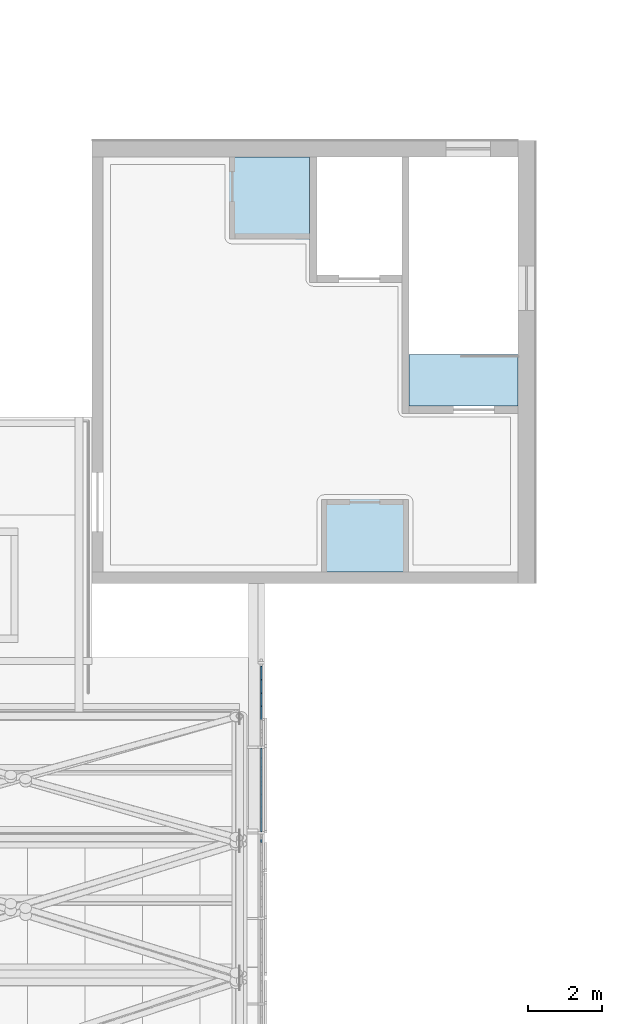
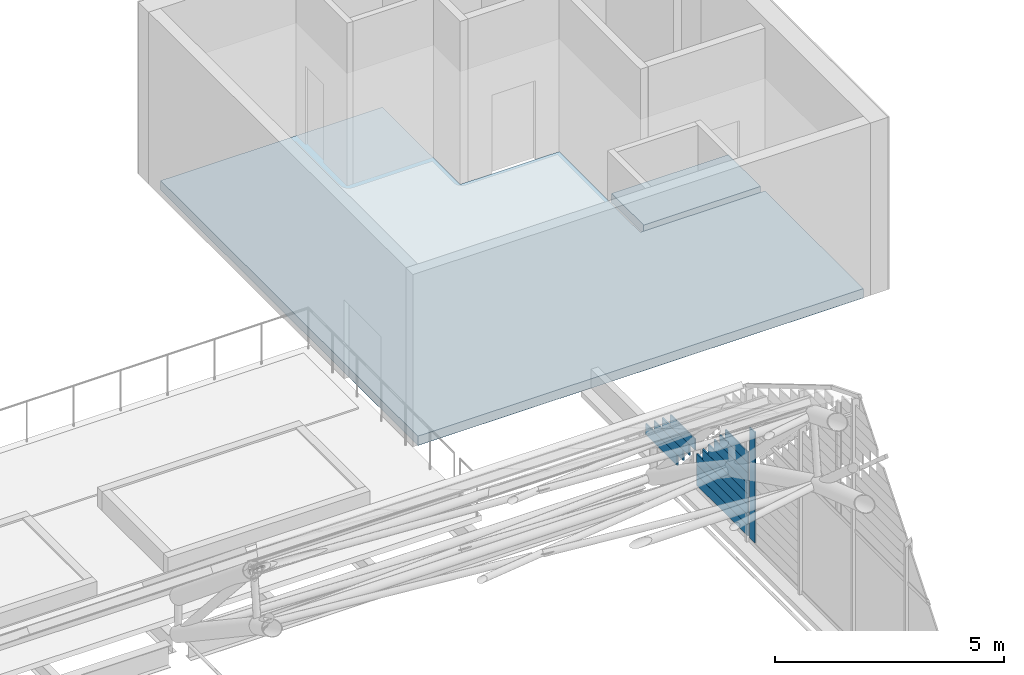
# One storey, part 67 of 110: 13 plates, 2 slabs, 1 element without a shape of its own.
"""IFC4 building model written with IfcOpenShell, lengths in metres."""

from ifc_helpers import new_model, si_unit, direction, frame, origin, place, context, subcontext, project, spatial, polyline, outline, extrude, material, layer, layer_set, type_object, element, aggregate, save


model = new_model("IFC4")

# Units and contexts
model_context = context("Model", 3, precision=1e-05, world=origin(), true_north=direction((0.0, 1.0)))
body_context = subcontext(model_context, "Body", "Model", "MODEL_VIEW")
ifc_project = project(units=[si_unit("LENGTHUNIT", "METRE"), si_unit("AREAUNIT", "SQUARE_METRE"), si_unit("VOLUMEUNIT", "CUBIC_METRE"), si_unit("PLANEANGLEUNIT", "RADIAN"), si_unit("MASSUNIT", "GRAM", prefix="KILO")], contexts=[model_context])

# Site, building, storey
site_placement = place(None, origin())
site = spatial("IfcSite", under=ifc_project, at=site_placement, CompositionType="ELEMENT")
building_placement = place(site_placement, origin())
building = spatial("IfcBuilding", under=site, at=building_placement, Name="Windward Yard Aquatics Centre", CompositionType="ELEMENT")
storey_placement = place(building_placement, frame((0.0, 0.0, 22.60009765625)))
storey = spatial("IfcBuildingStorey", under=building, at=storey_placement, Name="L05", CompositionType="ELEMENT", Elevation=22.60009765625)

# Slabs
ifc_material_1 = material(Name="Concrete C35/45", Category="concrete")
ifc_layer_1 = layer(ifc_material_1, 0.25)
ifc_layer_set_1 = layer_set([ifc_layer_1], Name="H Core Floor Concrete C35/45 250")
slab_type = type_object("IfcSlabType", Name="H Core Floor Concrete C35/45 250", PredefinedType="FLOOR", material=ifc_layer_set_1)
slab_1_placement = place(storey_placement, frame((0.0, 0.0, -0.25)))
element("IfcSlab", 1, at=slab_1_placement, inside=storey, type_object=slab_type, Name="L05 core floor NE", PredefinedType="FLOOR", context=body_context, shape_type="SweptSolid", body=[
    extrude(outline(polyline([(140.300048828125, 84.300048828125), (151.550048828125, 84.300048828125), (151.550048828125, 88.60009765625), (148.39990234375, 88.60009765625), (148.39990234375, 92.14990234375), (145.89990234375, 92.14990234375), (145.89990234375, 95.550048828125), (140.300048828125, 95.550048828125), (140.300048828125, 84.300048828125)])), origin(), (0.0, 0.0, 1.0), 0.25),
])
slab_2_placement = place(storey_placement, frame((0.0, 0.0, -0.25)))
element("IfcSlab", 2, at=slab_2_placement, inside=storey, type_object=slab_type, Name="L05 stair floor landing NE", PredefinedType="FLOOR", context=body_context, shape_type="SweptSolid", body=[
    extrude(outline(polyline([(148.60009765625, 88.800048828125), (151.550048828125, 88.800048828125), (151.550048828125, 90.199951171875), (148.60009765625, 90.199951171875), (148.60009765625, 88.800048828125)])), origin(), (0.0, 0.0, 1.0), 0.25),
])

# Curtain wall, plates
ifc_material_2 = material(Name="Glass and aluminium curtain wall", Category="aluminium")
ifc_layer_2 = layer(ifc_material_2, 0.179931640625)
ifc_layer_set_2 = layer_set([ifc_layer_2], Name="H gable glazing system double glazed 8+16+8")
curtain_wall_type = type_object("IfcCurtainWallType", Name="H gable glazing system double glazed 8+16+8", PredefinedType="NOTDEFINED", material=ifc_layer_set_2)
curtain_wall_placement = place(storey_placement, origin())
curtain_wall = element("IfcCurtainWall", 3, at=curtain_wall_placement, inside=storey, type_object=curtain_wall_type, Name="Gable glazing E", PredefinedType="NOTDEFINED")
ifc_material_3 = material(Name="Low-iron glass", Category="glass")
ifc_layer_3 = layer(ifc_material_3, 0.008, Name="Outer pane")
ifc_material_4 = material(Name="Argon-filled cavity")
ifc_layer_4 = layer(ifc_material_4, 0.016, Name="Cavity")
ifc_layer_5 = layer(ifc_material_3, 0.008, Name="Inner pane")
ifc_layer_set_3 = layer_set([ifc_layer_3, ifc_layer_4, ifc_layer_5], Name="H gable glass low-e double glazed unit 32")
plate_type = type_object("IfcPlateType", Name="H gable glass low-e double glazed unit 32", PredefinedType="CURTAIN_PANEL", material=ifc_layer_set_3)
plate_1_placement = place(storey_placement, frame((144.573974609375, 76.9638671875, 0.099853515625), z_axis=(-1.0, 0.0, 0.0), x_axis=(0.0, 0.0, 1.0)))
plate_1 = element("IfcPlate", 4, at=plate_1_placement, type_object=plate_type, Name="Gable panel 16.1a", PredefinedType="CURTAIN_PANEL", context=body_context, shape_type="SweptSolid", body=[
    extrude(outline(polyline([(0.0, 0.0), (2.949951, 0.0), (2.949951, 0.238281), (0.0, 0.238281), (0.0, 0.0)])), origin(), (0.0, 0.0, -1.0), 0.031982421875),
])
plate_2_placement = place(storey_placement, frame((144.60595703125, 77.26708984375, 0.099853515625), z_axis=(1.0, 0.0, 0.0), x_axis=(0.0, 1.0, 0.0)))
plate_2 = element("IfcPlate", 5, at=plate_2_placement, type_object=plate_type, Name="Gable panel 17.1a", PredefinedType="CURTAIN_PANEL", context=body_context, shape_type="SweptSolid", body=[
    extrude(outline(polyline([(0.0, 0.0), (2.254395, 0.0), (2.254395, 0.280029), (0.0, 0.280029), (0.0, 0.0)])), origin(), (0.0, 0.0, -1.0), 0.031982421875),
])
plate_3_placement = place(storey_placement, frame((144.60595703125, 77.26708984375, 0.380126953125), z_axis=(1.0, 0.0, 0.0), x_axis=(0.0, 1.0, 0.0)))
plate_3 = element("IfcPlate", 6, at=plate_3_placement, type_object=plate_type, Name="Gable panel 17.1b", PredefinedType="CURTAIN_PANEL", context=body_context, shape_type="SweptSolid", body=[
    extrude(outline(polyline([(0.0, 0.0), (2.254395, 0.0), (2.254395, 0.279785), (0.0, 0.279785), (0.0, 0.0)])), origin(), (0.0, 0.0, -1.0), 0.031982421875),
])
plate_4_placement = place(storey_placement, frame((144.60595703125, 77.26708984375, 0.660400390625), z_axis=(1.0, 0.0, 0.0), x_axis=(0.0, 1.0, 0.0)))
plate_4 = element("IfcPlate", 7, at=plate_4_placement, type_object=plate_type, Name="Gable panel 17.1c", PredefinedType="CURTAIN_PANEL", context=body_context, shape_type="SweptSolid", body=[
    extrude(outline(polyline([(0.0, 0.0), (2.24292, 0.0), (2.24292, 0.279541), (0.0, 0.279541), (0.0, 0.0)])), origin(), (0.0, 0.0, -1.0), 0.031982421875),
])
plate_5_placement = place(storey_placement, frame((144.60595703125, 77.26708984375, 0.9404296875), z_axis=(1.0, 0.0, 0.0), x_axis=(0.0, 1.0, 0.0)))
plate_5 = element("IfcPlate", 8, at=plate_5_placement, type_object=plate_type, Name="Gable panel 17.1d", PredefinedType="CURTAIN_PANEL", context=body_context, shape_type="SweptSolid", body=[
    extrude(outline(polyline([(0.0, 0.0), (1.993896, 0.0), (1.993896, 0.279785), (0.0, 0.279785), (0.0, 0.0)])), origin(), (0.0, 0.0, -1.0), 0.031982421875),
])
plate_6_placement = place(storey_placement, frame((144.60595703125, 77.26708984375, 1.220458984375), z_axis=(1.0, 0.0, 0.0), x_axis=(0.0, 1.0, 0.0)))
plate_6 = element("IfcPlate", 9, at=plate_6_placement, type_object=plate_type, Name="Gable panel 17.1e", PredefinedType="CURTAIN_PANEL", context=body_context, shape_type="SweptSolid", body=[
    extrude(outline(polyline([(0.0, 0.0), (1.744629, 0.0), (1.744629, 0.279785), (0.0, 0.279785), (0.0, 0.0)])), origin(), (0.0, 0.0, -1.0), 0.031982421875),
])
plate_7_placement = place(storey_placement, frame((144.60595703125, 77.26708984375, 1.500732421875), z_axis=(1.0, 0.0, 0.0), x_axis=(0.0, 1.0, 0.0)))
plate_7 = element("IfcPlate", 10, at=plate_7_placement, type_object=plate_type, Name="Gable panel 17.1f", PredefinedType="CURTAIN_PANEL", context=body_context, shape_type="SweptSolid", body=[
    extrude(outline(polyline([(0.0, 0.0), (1.495361, 0.0), (1.495361, 0.279541), (0.0, 0.279541), (0.0, 0.0)])), origin(), (0.0, 0.0, -1.0), 0.031982421875),
])
plate_8_placement = place(storey_placement, frame((144.60595703125, 77.26708984375, 1.78076171875), z_axis=(1.0, 0.0, 0.0), x_axis=(0.0, 1.0, 0.0)))
plate_8 = element("IfcPlate", 11, at=plate_8_placement, type_object=plate_type, Name="Gable panel 17.1g", PredefinedType="CURTAIN_PANEL", context=body_context, shape_type="SweptSolid", body=[
    extrude(outline(polyline([(0.0, 0.0), (1.246338, 0.0), (1.246338, 0.279785), (0.0, 0.279785), (0.0, 0.0)])), origin(), (0.0, 0.0, -1.0), 0.031982421875),
])
plate_9_placement = place(storey_placement, frame((144.60595703125, 77.26708984375, 2.060791015625), z_axis=(1.0, 0.0, 0.0), x_axis=(0.0, 1.0, 0.0)))
plate_9 = element("IfcPlate", 12, at=plate_9_placement, type_object=plate_type, Name="Gable panel 17.1h", PredefinedType="CURTAIN_PANEL", context=body_context, shape_type="SweptSolid", body=[
    extrude(outline(polyline([(0.0, 0.0), (0.99707, 0.0), (0.99707, 0.279785), (0.0, 0.279785), (0.0, 0.0)])), origin(), (0.0, 0.0, -1.0), 0.031982421875),
])
plate_10_placement = place(storey_placement, frame((144.60595703125, 80.364501953125, 0.099853515625), z_axis=(1.0, 0.0, 0.0), x_axis=(0.0, 1.0, 0.0)))
plate_10 = element("IfcPlate", 13, at=plate_10_placement, type_object=plate_type, Name="Gable panel 18.1c", PredefinedType="CURTAIN_PANEL", context=body_context, shape_type="SweptSolid", body=[
    extrude(outline(polyline([(0.0, 0.0), (1.380371, 0.0), (1.380371, 0.295166), (0.0, 0.295166), (0.0, 0.0)])), origin(), (0.0, 0.0, -1.0), 0.031982421875),
])
plate_11_placement = place(storey_placement, frame((144.60595703125, 80.1015625, 0.3955078125), z_axis=(1.0, 0.0, 0.0), x_axis=(0.0, 1.0, 0.0)))
plate_11 = element("IfcPlate", 14, at=plate_11_placement, type_object=plate_type, Name="Gable panel 18.1d", PredefinedType="CURTAIN_PANEL", context=body_context, shape_type="SweptSolid", body=[
    extrude(outline(polyline([(0.0, 0.0), (1.283691, 0.0), (1.283691, 0.294922), (0.0, 0.294922), (0.0, 0.0)])), origin(), (0.0, 0.0, -1.0), 0.031982421875),
])
plate_12_placement = place(storey_placement, frame((144.60595703125, 79.8388671875, 0.69091796875), z_axis=(1.0, 0.0, 0.0), x_axis=(0.0, 1.0, 0.0)))
plate_12 = element("IfcPlate", 15, at=plate_12_placement, type_object=plate_type, Name="Gable panel 18.1e", PredefinedType="CURTAIN_PANEL", context=body_context, shape_type="SweptSolid", body=[
    extrude(outline(polyline([(0.0, 0.0), (1.186523, 0.0), (1.186523, 0.295166), (0.0, 0.295166), (0.0, 0.0)])), origin(), (0.0, 0.0, -1.0), 0.031982421875),
])
plate_13_placement = place(storey_placement, frame((144.60595703125, 79.58642578125, 0.986328125), z_axis=(1.0, 0.0, 0.0), x_axis=(0.0, 1.0, 0.0)))
plate_13 = element("IfcPlate", 16, at=plate_13_placement, type_object=plate_type, Name="Gable panel 18.1f", PredefinedType="CURTAIN_PANEL", context=body_context, shape_type="SweptSolid", body=[
    extrude(outline(polyline([(0.0, 0.0), (1.079346, 0.0), (1.079346, 0.295166), (0.0, 0.295166), (0.0, 0.0)])), origin(), (0.0, 0.0, -1.0), 0.031982421875),
])
aggregate(curtain_wall, [plate_1, plate_2, plate_3, plate_4, plate_5, plate_6, plate_7, plate_8, plate_9, plate_10, plate_11, plate_12, plate_13])

save(model, "model.ifc")
